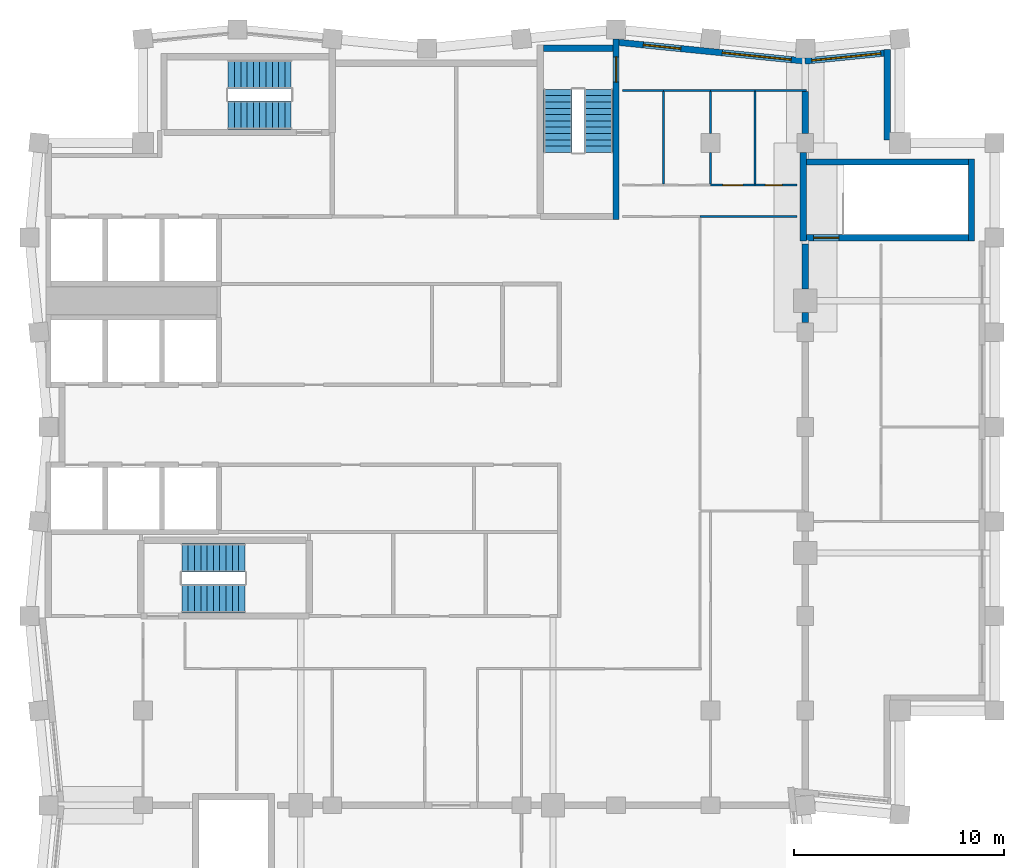
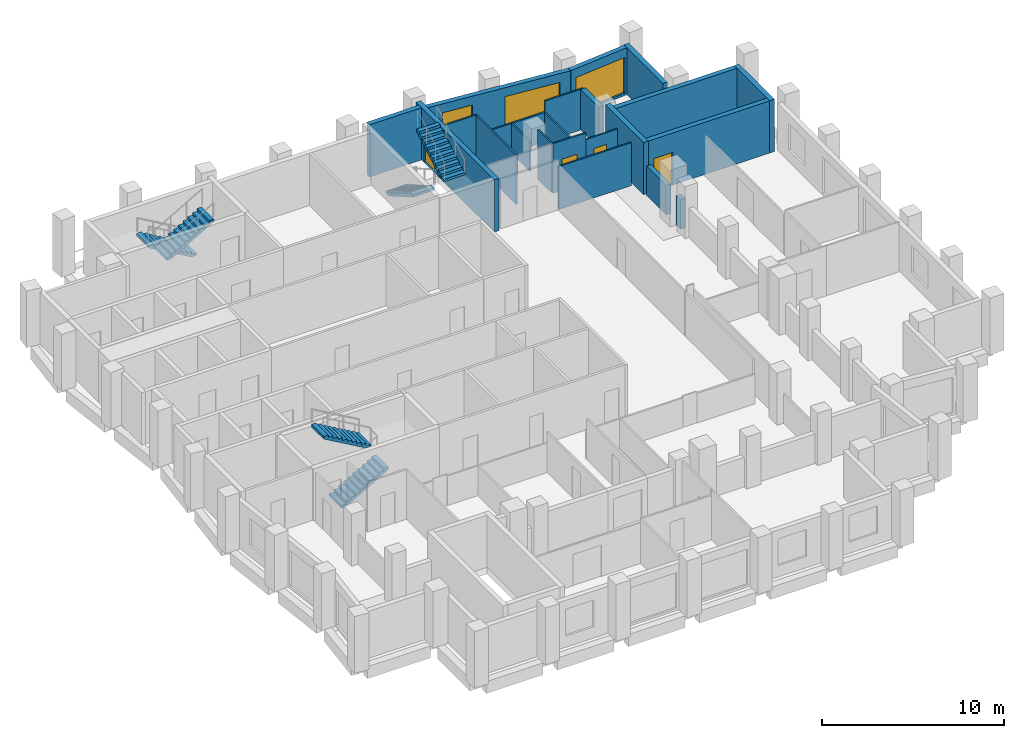
# One storey, part 6 of 7: 23 walls, 6 stair flights, 4 doors, 3 windows, 7 openings, 3 elements without a shape of their own.
"""IFC4 building model written with IfcOpenShell, lengths in metres."""

import ifcopenshell
import ifcopenshell.guid

model = None  # the IFC model being written
_history = None  # IfcOwnerHistory: only IFC2X3 demands one
_inside = {}  # id of a spatial element -> (the spatial element, [elements in it])
_under = {}  # id of a project, library or spatial element -> (it, [spatial elements below it])
_declared = {}  # id of a project -> (the project, [libraries it declares])
_typed = {}  # id of a type object -> (the type object, [elements of that type])
_made_of = {}  # id of a material, layer set ... -> (it, [elements and type objects made of it])


def new_model(schema):
    """Start an empty IFC model of exactly this schema.

    Asked for "IFC4X3", IfcOpenShell would pick the latest addendum, in which some entities
    have other attributes; the version numbers below select the first issue.
    IFC2X3 requires an IfcOwnerHistory on every rooted entity: one is made here for all.
    """
    global model, _history
    if schema == "IFC4X3":
        model = ifcopenshell.file(schema_version=(4, 3, 0, 0))
    else:
        model = ifcopenshell.file(schema=schema)
    _inside.clear()
    _under.clear()
    _declared.clear()
    _typed.clear()
    _made_of.clear()
    _history = None
    if model.schema == "IFC2X3":
        org = make("IfcOrganization", Name="unknown")
        user = make(
            "IfcPersonAndOrganization",
            ThePerson=make("IfcPerson", FamilyName="unknown"),
            TheOrganization=org,
        )
        app = make(
            "IfcApplication",
            ApplicationDeveloper=org,
            Version="unknown",
            ApplicationFullName="unknown",
            ApplicationIdentifier="unknown",
        )
        _history = make(
            "IfcOwnerHistory",
            OwningUser=user,
            OwningApplication=app,
            ChangeAction="ADDED",
            CreationDate=0,
        )
    return model


def make(cls, **values):
    """One entity of the class cls with the attributes given. An attribute that is None is left unset."""
    return model.create_entity(
        cls, **{name: value for name, value in values.items() if value is not None}
    )


def rooted(cls, **values):
    """An entity with a GlobalId (a new one), such as an element, a storey or a relation."""
    return make(cls, GlobalId=ifcopenshell.guid.new(), OwnerHistory=_history, **values)


def si_unit(unit_type, name, prefix=None):
    """IfcSIUnit, for example si_unit("LENGTHUNIT", "METRE", prefix="MILLI")."""
    return make("IfcSIUnit", UnitType=unit_type, Prefix=prefix, Name=name)


def assignment(units):
    """IfcUnitAssignment: the units of a project."""
    return None if units is None else make("IfcUnitAssignment", Units=units)


def point(xyz):
    """IfcCartesianPoint."""
    return None if xyz is None else make("IfcCartesianPoint", Coordinates=xyz)


def direction(xyz):
    """IfcDirection."""
    return None if xyz is None else make("IfcDirection", DirectionRatios=xyz)


def frame(location, z_axis=None, x_axis=None):
    """IfcAxis2Placement3D, a coordinate frame: its origin and axes. An axis left out is left unset."""
    return make(
        "IfcAxis2Placement3D",
        Location=point(location),
        Axis=direction(z_axis),
        RefDirection=direction(x_axis),
    )


def frame_2d(location, x_axis=None):
    """IfcAxis2Placement2D, a coordinate frame in the plane: its origin and x axis."""
    return make(
        "IfcAxis2Placement2D", Location=point(location), RefDirection=direction(x_axis)
    )


def origin():
    """The frame at (0, 0, 0) with its axes left unset."""
    return frame((0.0, 0.0, 0.0))


def place(relative_to, where):
    """IfcLocalPlacement: puts the frame where relative to a parent placement (None: the world)."""
    return make(
        "IfcLocalPlacement", PlacementRelTo=relative_to, RelativePlacement=where
    )


def context(
    kind, dimensions, precision=None, world=None, true_north=None, identifier=None
):
    """IfcGeometricRepresentationContext, for example the 3D "Model" context."""
    return make(
        "IfcGeometricRepresentationContext",
        ContextIdentifier=identifier,
        ContextType=kind,
        CoordinateSpaceDimension=dimensions,
        Precision=precision,
        WorldCoordinateSystem=world,
        TrueNorth=true_north,
    )


def subcontext(parent, identifier, kind, view, scale=None):
    """IfcGeometricRepresentationSubContext, for example "Body" below "Model"."""
    return make(
        "IfcGeometricRepresentationSubContext",
        ContextIdentifier=identifier,
        ContextType=kind,
        ParentContext=parent,
        TargetScale=scale,
        TargetView=view,
    )


def project(units=None, contexts=None):
    """IfcProject with its units and contexts."""
    return rooted(
        "IfcProject",
        Name="project",
        RepresentationContexts=contexts,
        UnitsInContext=assignment(units),
    )


def spatial(cls, under=None, at=None, **own):
    """A site, building, storey or space (cls), placed at a placement, below another one or the project."""
    s = rooted(cls, ObjectPlacement=at, **own)
    if under is not None:
        _under.setdefault(under.id(), (under, []))[1].append(s)
    return s


def polyline(points):
    """IfcPolyline through the points."""
    return make("IfcPolyline", Points=[point(p) for p in points])


def profile(cls, at=None, kind="AREA", **sizes):
    """A parametric profile (cls). Its sizes go by their IFC names, for example OverallWidth=200.0."""
    return make(cls, ProfileType=kind, Position=at, **sizes)


def rectangle(**sizes):
    """IfcRectangleProfileDef."""
    return profile("IfcRectangleProfileDef", **sizes)


def outline(outer, holes=None, kind="AREA"):
    """IfcArbitraryClosedProfileDef: a profile drawn as a closed curve; with holes, ...WithVoids."""
    if holes is None:
        return make("IfcArbitraryClosedProfileDef", ProfileType=kind, OuterCurve=outer)
    return make(
        "IfcArbitraryProfileDefWithVoids",
        ProfileType=kind,
        OuterCurve=outer,
        InnerCurves=holes,
    )


def extrude(swept, where, along, depth):
    """IfcExtrudedAreaSolid: the profile swept, set in the frame where, extruded along a direction by depth."""
    return make(
        "IfcExtrudedAreaSolid",
        SweptArea=swept,
        Position=where,
        ExtrudedDirection=direction(along),
        Depth=depth,
    )


def shape(context_of_items, identifier, shape_type, items):
    """IfcShapeRepresentation: the items that make up one representation, for example the "Body"."""
    return make(
        "IfcShapeRepresentation",
        ContextOfItems=context_of_items,
        RepresentationIdentifier=identifier,
        RepresentationType=shape_type,
        Items=items,
    )


def material(Name=None, Category=None):
    """IfcMaterial."""
    return make("IfcMaterial", Name=Name, Category=Category)


def layer(
    of_material, thickness, ventilated=None, Name=None, Category=None, Priority=None
):
    """IfcMaterialLayer: one layer of a wall or slab, of a material (None: an air gap)."""
    return make(
        "IfcMaterialLayer",
        Material=of_material,
        LayerThickness=thickness,
        IsVentilated=ventilated,
        Name=Name,
        Category=Category,
        Priority=Priority,
    )


def layer_set(layers, Name=None):
    """IfcMaterialLayerSet."""
    return make("IfcMaterialLayerSet", MaterialLayers=layers, LayerSetName=Name)


def made_of(thing, what):
    """Note that an element or type object is made of a material, layer set ...; save() writes the relation."""
    if what is not None:
        _made_of.setdefault(what.id(), (what, []))[1].append(thing)
    return thing


def type_object(cls, material=None, **own):
    """A type object (cls), such as IfcWallType, which elements share."""
    return made_of(rooted(cls, **own), material)


def element(
    cls,
    number,
    at=None,
    inside=None,
    cuts=None,
    type_object=None,
    material=None,
    context=None,
    identifier="Body",
    shape_type=None,
    held_by="IfcProductDefinitionShape",
    body=None,
    shapes=None,
    **own,
):
    """One element of the class cls, such as IfcWall. Its Tag is "e" and its number.

    at: its placement. inside: the storey or other place that contains it. cuts: it is an
    opening in that element (IfcRelVoidsElement). A single representation is given by context,
    identifier, shape_type and body (its items); several are given by shapes. held_by: the class
    of the entity that holds the representations. save() writes the other relations.
    """
    e = rooted(cls, Tag="e%d" % number, ObjectPlacement=at, **own)
    if body is not None:
        shapes = [shape(context, identifier, shape_type, body)]
    if shapes is not None:
        e.Representation = make(held_by, Representations=shapes)
    if inside is not None:
        _inside.setdefault(inside.id(), (inside, []))[1].append(e)
    if cuts is not None:
        rooted(
            "IfcRelVoidsElement", RelatingBuildingElement=cuts, RelatedOpeningElement=e
        )
    if type_object is not None:
        _typed.setdefault(type_object.id(), (type_object, []))[1].append(e)
    return made_of(e, material)


def fill(opening, filler):
    """IfcRelFillsElement: the door or window that sits in an opening."""
    return rooted(
        "IfcRelFillsElement",
        RelatingOpeningElement=opening,
        RelatedBuildingElement=filler,
    )


def aggregate(whole, parts):
    """IfcRelAggregates: a whole, such as a stair, and the parts it consists of."""
    return rooted("IfcRelAggregates", RelatingObject=whole, RelatedObjects=parts)


def save(model, path):
    """Write the relations noted so far, then the file.

    IfcRelAggregates (storeys below a building ...), IfcRelContainedInSpatialStructure (elements
    in a storey), IfcRelDefinesByType, IfcRelAssociatesMaterial and IfcRelDeclares: one each for
    every whole, place, type object, material and project.
    """
    for whole, parts in _under.values():
        aggregate(whole, parts)
    for where, things in _inside.values():
        rooted(
            "IfcRelContainedInSpatialStructure",
            RelatedElements=things,
            RelatingStructure=where,
        )
    for kind, things in _typed.values():
        rooted("IfcRelDefinesByType", RelatedObjects=things, RelatingType=kind)
    for what, things in _made_of.values():
        rooted("IfcRelAssociatesMaterial", RelatedObjects=things, RelatingMaterial=what)
    for by, libraries in _declared.values():
        rooted("IfcRelDeclares", RelatingContext=by, RelatedDefinitions=libraries)
    model.write(path)


model = new_model("IFC4")

# Units and contexts
model_context = context("Model", 3, precision=1e-05, world=origin(), true_north=direction((0.0, 1.0)))
body_context = subcontext(model_context, "Body", "Model", "MODEL_VIEW")
ifc_project = project(units=[si_unit("LENGTHUNIT", "METRE"), si_unit("AREAUNIT", "SQUARE_METRE"), si_unit("VOLUMEUNIT", "CUBIC_METRE"), si_unit("PLANEANGLEUNIT", "RADIAN"), si_unit("MASSUNIT", "GRAM", prefix="KILO")], contexts=[model_context])

# Site, building, storey
site_placement = place(None, origin())
site = spatial("IfcSite", under=ifc_project, at=site_placement, CompositionType="ELEMENT")
building_placement = place(site_placement, origin())
building = spatial("IfcBuilding", under=site, at=building_placement, Name="Brondeck Convention Tower", CompositionType="ELEMENT")
storey_placement = place(building_placement, frame((0.0, 0.0, 279.0)))
storey = spatial("IfcBuildingStorey", under=building, at=storey_placement, Name="L69", CompositionType="ELEMENT", Elevation=279.0)

# Walls
ifc_material_1 = material(Name="Concrete compartment wall C30/37", Category="concrete")
ifc_layer_1 = layer(ifc_material_1, 0.300048828125)
ifc_layer_set_1 = layer_set([ifc_layer_1], Name="Compartment wall 300")
wall_type_1 = type_object("IfcWallType", Name="Compartment wall 300", PredefinedType="PARTITIONING", material=ifc_layer_set_1)
wall_1_placement = place(storey_placement, frame((36.0, 49.955078125, 0.0), z_axis=(0.0, 0.0, 1.0), x_axis=(0.0, 1.0, 0.0)))
element("IfcWall", 1, at=wall_1_placement, inside=storey, type_object=wall_type_1, Name="FLR-L69-W051", PredefinedType="PARTITIONING", context=body_context, shape_type="SweptSolid", body=[
    extrude(rectangle(XDim=0.489990234375, YDim=0.300048828125, at=frame_2d((0.2451171875, 0.0))), origin(), (0.0, 0.0, 1.0), 1.97998046875),
])
wall_2_placement = place(storey_placement, frame((36.0, 51.554931640625, 0.0), z_axis=(0.0, 0.0, 1.0), x_axis=(0.0, 1.0, 0.0)))
element("IfcWall", 2, at=wall_2_placement, inside=storey, type_object=wall_type_1, Name="FLR-L69-W052", PredefinedType="PARTITIONING", context=body_context, shape_type="SweptSolid", body=[
    extrude(rectangle(XDim=2.14501953125, YDim=0.300048828125, at=frame_2d((1.072509765625, 0.0))), origin(), (0.0, 0.0, 1.0), 1.97998046875),
])
wall_3_placement = place(storey_placement, frame((36.0, 60.949951171875, 0.0), z_axis=(0.0, 0.0, 1.0), x_axis=(0.0, -1.0, 0.0)))
element("IfcWall", 3, at=wall_3_placement, inside=storey, type_object=wall_type_1, Name="FLR-L69-W065", PredefinedType="PARTITIONING", context=body_context, shape_type="SweptSolid", body=[
    extrude(rectangle(XDim=1.994873046875, YDim=0.300048828125, at=frame_2d((0.99755859375, 0.0))), origin(), (0.0, 0.0, 1.0), 2.72998046875),
])
ifc_material_2 = material(Name="Precast concrete C50/60 bronze finish", Category="concrete")
ifc_layer_2 = layer(ifc_material_2, 0.070068359375, Name="Bronze precast facing")
ifc_material_3 = material(Name="Mineral wool")
ifc_layer_3 = layer(ifc_material_3, 0.159912109375, Name="Insulation")
ifc_material_4 = material(Name="Concrete C35/45", Category="concrete")
ifc_layer_4 = layer(ifc_material_4, 0.070068359375, Name="Backing")
ifc_layer_set_2 = layer_set([ifc_layer_2, ifc_layer_3, ifc_layer_4], Name="External infill wall, precast concrete C50/60 bronze facing")
wall_type_2 = type_object("IfcWallType", Name="External infill wall, precast concrete C50/60 bronze facing", PredefinedType="SOLIDWALL", material=ifc_layer_set_2)
wall_4_placement = place(storey_placement, frame((39.89990234375, 62.952880859375, 0.0), z_axis=(0.0, 0.0, 1.0), x_axis=(0.0, -1.0, 0.0)))
element("IfcWall", 4, at=wall_4_placement, inside=storey, type_object=wall_type_2, Name="ENV-EW-L69-P3-NC-NEA45-02", PredefinedType="SOLIDWALL", context=body_context, shape_type="SweptSolid", body=[
    extrude(rectangle(XDim=4.302978515625, YDim=0.300048828125, at=frame_2d((2.1513671875, 0.0))), origin(), (0.0, 0.0, 1.0), 3.14990234375),
])

# Wall, opening, window
wall_5_placement = place(storey_placement, frame((35.985107421875, 62.3955078125, 0.0), z_axis=(0.0, 0.0, 1.0), x_axis=(0.99503719021, 0.099503719021, 0.0)))
wall_5 = element("IfcWall", 5, at=wall_5_placement, inside=storey, type_object=wall_type_2, Name="ENV-EW-L69-P3-A-N-08", PredefinedType="SOLIDWALL", context=body_context, shape_type="SweptSolid", body=[
    extrude(rectangle(XDim=3.778564453125, YDim=0.300048828125, at=frame_2d((1.88916015625, 0.0))), origin(), (0.0, 0.0, 1.0), 3.14990234375),
])
opening_1_placement = place(wall_5_placement, frame((0.32861328125, 0.0, 0.14990234375)))
opening_1 = element("IfcOpeningElement", 6, at=opening_1_placement, cuts=wall_5, Name="Opening W9", PredefinedType="OPENING", context=body_context, shape_type="SweptSolid", body=[
    extrude(rectangle(XDim=3.300048828125, YDim=2.39990234375, at=frame_2d((1.64990234375, 1.199951171875))), frame((0.0, 0.159912109375, 0.0), z_axis=(0.0, -1.0, 0.0), x_axis=(1.0, 0.0, 0.0)), (0.0, 0.0, 1.0), 0.320068359375),
])
ifc_material_5 = material(Name="Bronze tinted double glazing", Category="glass")
window_type_1 = type_object("IfcWindowType", Name="Glazed flute window, bronze tinted", PartitioningType="SINGLE_PANEL", PredefinedType="WINDOW", material=ifc_material_5)
window_1_placement = place(opening_1_placement, origin())
window_1 = element("IfcWindow", 7, at=window_1_placement, inside=storey, type_object=window_type_1, Name="ENV-WN-L69-P3-A-N-08", OverallHeight=2.39990234375, OverallWidth=3.300048828125, PartitioningType="SINGLE_PANEL", PredefinedType="WINDOW", context=body_context, shape_type="SweptSolid", body=[
    extrude(rectangle(XDim=3.300048828125, YDim=2.39990234375, at=frame_2d((1.64990234375, 1.199951171875))), frame((0.0, 0.030029296875, 0.0), z_axis=(0.0, -1.0, 0.0), x_axis=(1.0, 0.0, 0.0)), (0.0, 0.0, 1.0), 0.06005859375),
])
fill(opening_1, window_1)

# Wall, openings, windows
wall_6_placement = place(storey_placement, frame((27.089599609375, 63.2880859375, 0.0), z_axis=(0.0, 0.0, 1.0), x_axis=(0.995035835913, -0.09951726106, 0.0)))
wall_6 = element("IfcWall", 8, at=wall_6_placement, inside=storey, type_object=wall_type_2, Name="ENV-EW-L69-P3-A-N-07", PredefinedType="SOLIDWALL", context=body_context, shape_type="SweptSolid", body=[
    extrude(rectangle(XDim=8.9248046875, YDim=0.300048828125, at=frame_2d((4.46240234375, 0.0))), origin(), (0.0, 0.0, 1.0), 3.14990234375),
])
opening_2_placement = place(wall_6_placement, frame((1.211181640625, 0.0, 0.75)))
opening_2 = element("IfcOpeningElement", 9, at=opening_2_placement, cuts=wall_6, Name="Opening W10", PredefinedType="OPENING", context=body_context, shape_type="SweptSolid", body=[
    extrude(rectangle(XDim=1.800048828125, YDim=1.800048828125, at=frame_2d((0.89990234375, 0.89990234375))), frame((0.0, 0.159912109375, 0.0), z_axis=(0.0, -1.0, 0.0), x_axis=(1.0, 0.0, 0.0)), (0.0, 0.0, 1.0), 0.320068359375),
])
opening_3_placement = place(wall_6_placement, frame((4.983642578125, 0.0, 0.14990234375)))
opening_3 = element("IfcOpeningElement", 10, at=opening_3_placement, cuts=wall_6, Name="Opening W9", PredefinedType="OPENING", context=body_context, shape_type="SweptSolid", body=[
    extrude(rectangle(XDim=3.300048828125, YDim=2.39990234375, at=frame_2d((1.64990234375, 1.199951171875))), frame((0.0, 0.159912109375, 0.0), z_axis=(0.0, -1.0, 0.0), x_axis=(1.0, 0.0, 0.0)), (0.0, 0.0, 1.0), 0.320068359375),
])
window_2_placement = place(opening_3_placement, origin())
window_2 = element("IfcWindow", 11, at=window_2_placement, inside=storey, type_object=window_type_1, Name="ENV-WN-L69-P3-A-N-07", OverallHeight=2.39990234375, OverallWidth=3.300048828125, PartitioningType="SINGLE_PANEL", PredefinedType="WINDOW", context=body_context, shape_type="SweptSolid", body=[
    extrude(rectangle(XDim=3.300048828125, YDim=2.39990234375, at=frame_2d((1.64990234375, 1.199951171875))), frame((0.0, 0.030029296875, 0.0), z_axis=(0.0, -1.0, 0.0), x_axis=(1.0, 0.0, 0.0)), (0.0, 0.0, 1.0), 0.06005859375),
])
fill(opening_3, window_2)
window_type_2 = type_object("IfcWindowType", Name="Punched window, bronze tinted", PartitioningType="SINGLE_PANEL", PredefinedType="WINDOW", material=ifc_material_5)
window_3_placement = place(opening_2_placement, origin())
window_3 = element("IfcWindow", 12, at=window_3_placement, inside=storey, type_object=window_type_2, Name="ENV-WN-L69-P3-A-N-06", OverallHeight=1.800048828125, OverallWidth=1.800048828125, PartitioningType="SINGLE_PANEL", PredefinedType="WINDOW", context=body_context, shape_type="SweptSolid", body=[
    extrude(rectangle(XDim=1.800048828125, YDim=1.800048828125, at=frame_2d((0.89990234375, 0.89990234375))), frame((0.0, 0.030029296875, 0.0), z_axis=(0.0, -1.0, 0.0), x_axis=(1.0, 0.0, 0.0)), (0.0, 0.0, 1.0), 0.06005859375),
])
fill(opening_2, window_3)

# Wall
ifc_material_6 = material(Name="Gypsum board partition on steel studs", Category="steel")
ifc_layer_5 = layer(ifc_material_6, 0.10009765625)
ifc_layer_set_3 = layer_set([ifc_layer_5], Name="Room partition 100")
wall_type_3 = type_object("IfcWallType", Name="Room partition 100", PredefinedType="PARTITIONING", material=ifc_layer_set_3)
wall_7_placement = place(storey_placement, frame((35.60009765625, 55.0, 0.0), z_axis=(0.0, 0.0, 1.0), x_axis=(-1.0, 0.0, 0.0)))
element("IfcWall", 13, at=wall_7_placement, inside=storey, type_object=wall_type_3, Name="FLR-L69-W056", PredefinedType="PARTITIONING", context=body_context, shape_type="SweptSolid", body=[
    extrude(rectangle(XDim=4.60009765625, YDim=0.10009765625, at=frame_2d((2.300048828125, 0.0))), origin(), (0.0, 0.0, 1.0), 2.8798828125),
])

# Wall, opening, door
wall_8_placement = place(storey_placement, frame((31.5, 56.5, 0.0), z_axis=(0.0, 0.0, 1.0), x_axis=(1.0, 0.0, 0.0)))
wall_8 = element("IfcWall", 14, at=wall_8_placement, inside=storey, type_object=wall_type_3, Name="FLR-L69-W059", PredefinedType="PARTITIONING", context=body_context, shape_type="SweptSolid", body=[
    extrude(rectangle(XDim=2.10009765625, YDim=0.10009765625, at=frame_2d((1.050048828125, 0.0))), origin(), (0.0, 0.0, 1.0), 3.330078125),
])
opening_4_placement = place(wall_8_placement, frame((0.574951171875, 0.0, 0.0)))
opening_4 = element("IfcOpeningElement", 15, at=opening_4_placement, cuts=wall_8, Name="Opening EX-D-010", PredefinedType="OPENING", context=body_context, shape_type="SweptSolid", body=[
    extrude(rectangle(XDim=0.949951171875, YDim=2.10009765625, at=frame_2d((0.47509765625, 1.050048828125))), frame((0.0, 0.06005859375, 0.0), z_axis=(0.0, -1.0, 0.0), x_axis=(1.0, 0.0, 0.0)), (0.0, 0.0, 1.0), 0.1201171875),
])
ifc_material_7 = material(Name="Solid timber door leaf", Category="wood")
door_type_1 = type_object("IfcDoorType", Name="Accessible door 950", OperationType="NOTDEFINED", PredefinedType="DOOR", material=ifc_material_7)
door_1_placement = place(opening_4_placement, origin())
door_1 = element("IfcDoor", 16, at=door_1_placement, inside=storey, type_object=door_type_1, Name="Door EX-D-010", OperationType="SINGLE_SWING_LEFT", OverallHeight=2.10009765625, OverallWidth=0.949951171875, PredefinedType="DOOR", context=body_context, shape_type="SweptSolid", body=[
    extrude(rectangle(XDim=0.949951171875, YDim=2.10009765625, at=frame_2d((0.47509765625, 1.050048828125))), frame((0.0, 0.02490234375, 0.0), z_axis=(0.0, -1.0, 0.0), x_axis=(1.0, 0.0, 0.0)), (0.0, 0.0, 1.0), 0.050048828125),
])
fill(opening_4, door_1)

wall_9_placement = place(storey_placement, frame((33.60009765625, 56.5, 0.0), z_axis=(0.0, 0.0, 1.0), x_axis=(1.0, 0.0, 0.0)))
wall_9 = element("IfcWall", 17, at=wall_9_placement, inside=storey, type_object=wall_type_3, Name="FLR-L69-W060", PredefinedType="PARTITIONING", context=body_context, shape_type="SweptSolid", body=[
    extrude(rectangle(XDim=2.0, YDim=0.10009765625, at=frame_2d((1.0, 0.0))), origin(), (0.0, 0.0, 1.0), 2.8798828125),
])
opening_5_placement = place(wall_9_placement, frame((0.5, 0.0, 0.0)))
opening_5 = element("IfcOpeningElement", 18, at=opening_5_placement, cuts=wall_9, Name="Opening EX-D-011", PredefinedType="OPENING", context=body_context, shape_type="SweptSolid", body=[
    extrude(rectangle(XDim=0.800048828125, YDim=2.10009765625, at=frame_2d((0.39990234375, 1.050048828125))), frame((0.0, 0.06005859375, 0.0), z_axis=(0.0, -1.0, 0.0), x_axis=(1.0, 0.0, 0.0)), (0.0, 0.0, 1.0), 0.1201171875),
])
ifc_material_8 = material(Name="Steel service door leaf", Category="steel")
door_type_2 = type_object("IfcDoorType", Name="Service door 800", OperationType="NOTDEFINED", PredefinedType="DOOR", material=ifc_material_8)
door_2_placement = place(opening_5_placement, origin())
door_2 = element("IfcDoor", 19, at=door_2_placement, inside=storey, type_object=door_type_2, Name="Door EX-D-011", OperationType="SINGLE_SWING_LEFT", OverallHeight=2.10009765625, OverallWidth=0.800048828125, PredefinedType="DOOR", context=body_context, shape_type="SweptSolid", body=[
    extrude(rectangle(XDim=0.800048828125, YDim=2.10009765625, at=frame_2d((0.39990234375, 1.050048828125))), frame((0.0, 0.02490234375, 0.0), z_axis=(0.0, -1.0, 0.0), x_axis=(1.0, 0.0, 0.0)), (0.0, 0.0, 1.0), 0.050048828125),
])
fill(opening_5, door_2)

# Walls
wall_10_placement = place(storey_placement, frame((31.5, 58.044921875, 0.0), z_axis=(0.0, 0.0, 1.0), x_axis=(0.0, -1.0, 0.0)))
element("IfcWall", 20, at=wall_10_placement, inside=storey, type_object=wall_type_3, Name="FLR-L69-W061", PredefinedType="PARTITIONING", context=body_context, shape_type="SweptSolid", body=[
    extrude(rectangle(XDim=1.494873046875, YDim=0.10009765625, at=frame_2d((0.74755859375, 0.0))), origin(), (0.0, 0.0, 1.0), 3.330078125),
])
wall_11_placement = place(storey_placement, frame((29.25, 60.949951171875, 0.0), z_axis=(0.0, 0.0, 1.0), x_axis=(0.0, -1.0, 0.0)))
element("IfcWall", 21, at=wall_11_placement, inside=storey, type_object=wall_type_3, Name="FLR-L69-W062", PredefinedType="PARTITIONING", context=body_context, shape_type="SweptSolid", body=[
    extrude(rectangle(XDim=4.39990234375, YDim=0.10009765625, at=frame_2d((2.199951171875, 0.0))), origin(), (0.0, 0.0, 1.0), 3.330078125),
])
wall_12_placement = place(storey_placement, frame((31.5, 60.949951171875, 0.0), z_axis=(0.0, 0.0, 1.0), x_axis=(0.0, -1.0, 0.0)))
element("IfcWall", 22, at=wall_12_placement, inside=storey, type_object=wall_type_3, Name="FLR-L69-W063", PredefinedType="PARTITIONING", context=body_context, shape_type="SweptSolid", body=[
    extrude(rectangle(XDim=1.994873046875, YDim=0.10009765625, at=frame_2d((0.99755859375, 0.0))), origin(), (0.0, 0.0, 1.0), 1.97998046875),
])
wall_13_placement = place(storey_placement, frame((33.60009765625, 60.949951171875, 0.0), z_axis=(0.0, 0.0, 1.0), x_axis=(0.0, -1.0, 0.0)))
element("IfcWall", 23, at=wall_13_placement, inside=storey, type_object=wall_type_3, Name="FLR-L69-W064", PredefinedType="PARTITIONING", context=body_context, shape_type="SweptSolid", body=[
    extrude(rectangle(XDim=4.39990234375, YDim=0.10009765625, at=frame_2d((2.199951171875, 0.0))), origin(), (0.0, 0.0, 1.0), 1.97998046875),
])
wall_14_placement = place(storey_placement, frame((27.300048828125, 61.0, 0.0), z_axis=(0.0, 0.0, 1.0), x_axis=(1.0, 0.0, 0.0)))
element("IfcWall", 24, at=wall_14_placement, inside=storey, type_object=wall_type_3, Name="FLR-L69-W066", PredefinedType="PARTITIONING", context=body_context, shape_type="SweptSolid", body=[
    extrude(rectangle(XDim=1.949951171875, YDim=0.10009765625, at=frame_2d((0.97509765625, 0.0))), origin(), (0.0, 0.0, 1.0), 3.330078125),
])
wall_15_placement = place(storey_placement, frame((29.25, 61.0, 0.0), z_axis=(0.0, 0.0, 1.0), x_axis=(1.0, 0.0, 0.0)))
element("IfcWall", 25, at=wall_15_placement, inside=storey, type_object=wall_type_3, Name="FLR-L69-W067", PredefinedType="PARTITIONING", context=body_context, shape_type="SweptSolid", body=[
    extrude(rectangle(XDim=2.25, YDim=0.10009765625, at=frame_2d((1.125, 0.0))), origin(), (0.0, 0.0, 1.0), 1.97998046875),
])
wall_16_placement = place(storey_placement, frame((31.5, 61.0, 0.0), z_axis=(0.0, 0.0, 1.0), x_axis=(1.0, 0.0, 0.0)))
element("IfcWall", 26, at=wall_16_placement, inside=storey, type_object=wall_type_3, Name="FLR-L69-W068", PredefinedType="PARTITIONING", context=body_context, shape_type="SweptSolid", body=[
    extrude(rectangle(XDim=2.10009765625, YDim=0.10009765625, at=frame_2d((1.050048828125, 0.0))), origin(), (0.0, 0.0, 1.0), 1.97998046875),
])
wall_17_placement = place(storey_placement, frame((33.60009765625, 61.0, 0.0), z_axis=(0.0, 0.0, 1.0), x_axis=(1.0, 0.0, 0.0)))
element("IfcWall", 27, at=wall_17_placement, inside=storey, type_object=wall_type_3, Name="FLR-L69-W069", PredefinedType="PARTITIONING", context=body_context, shape_type="SweptSolid", body=[
    extrude(rectangle(XDim=2.449951171875, YDim=0.10009765625, at=frame_2d((1.22509765625, 0.0))), origin(), (0.0, 0.0, 1.0), 2.72998046875),
])

# Wall, opening, door
ifc_material_9 = material(Name="Concrete C50/60", Category="concrete")
ifc_layer_6 = layer(ifc_material_9, 0.300048828125)
ifc_layer_set_4 = layer_set([ifc_layer_6], Name="Stair enclosure wall 300 Concrete C50/60")
wall_type_4 = type_object("IfcWallType", Name="Stair enclosure wall 300 Concrete C50/60", PredefinedType="SHEAR", material=ifc_layer_set_4)
wall_18_placement = place(storey_placement, frame((36.050048828125, 54.0, 0.0), z_axis=(0.0, 0.0, 1.0), x_axis=(1.0, 0.0, 0.0)))
wall_18 = element("IfcWall", 28, at=wall_18_placement, inside=storey, type_object=wall_type_4, Name="L69 core wall", PredefinedType="SHEAR", context=body_context, shape_type="SweptSolid", body=[
    extrude(rectangle(XDim=7.699951171875, YDim=0.300048828125, at=frame_2d((3.85009765625, 0.0))), origin(), (0.0, 0.0, 1.0), 3.5),
])
opening_6_placement = place(wall_18_placement, frame((0.35009765625, 0.0, 0.0)))
opening_6 = element("IfcOpeningElement", 29, at=opening_6_placement, cuts=wall_18, Name="Opening C39-16", PredefinedType="OPENING", context=body_context, shape_type="SweptSolid", body=[
    extrude(rectangle(XDim=1.199951171875, YDim=2.199951171875, at=frame_2d((0.60009765625, 1.10009765625))), frame((0.0, 0.159912109375, 0.0), z_axis=(0.0, -1.0, 0.0), x_axis=(1.0, 0.0, 0.0)), (0.0, 0.0, 1.0), 0.320068359375),
])
ifc_material_10 = material(Name="Steel fire door", Category="steel")
door_type_3 = type_object("IfcDoorType", Name="Stair door 1200x2200 EI 90", OperationType="NOTDEFINED", PredefinedType="DOOR", material=ifc_material_10)
door_3_placement = place(opening_6_placement, origin())
door_3 = element("IfcDoor", 30, at=door_3_placement, inside=storey, type_object=door_type_3, Name="L69 Stair door ST-AE", OperationType="SINGLE_SWING_LEFT", OverallHeight=2.199951171875, OverallWidth=1.199951171875, PredefinedType="DOOR", context=body_context, shape_type="SweptSolid", body=[
    extrude(rectangle(XDim=1.199951171875, YDim=2.199951171875, at=frame_2d((0.60009765625, 1.10009765625))), frame((0.0, 0.02490234375, 0.0), z_axis=(0.0, -1.0, 0.0), x_axis=(1.0, 0.0, 0.0)), (0.0, 0.0, 1.0), 0.050048828125),
])
fill(opening_6, door_3)

# Walls
wall_19_placement = place(storey_placement, frame((36.050048828125, 57.60009765625, 0.0), z_axis=(0.0, 0.0, 1.0), x_axis=(1.0, 0.0, 0.0)))
element("IfcWall", 31, at=wall_19_placement, inside=storey, type_object=wall_type_4, Name="L69 core wall", PredefinedType="SHEAR", context=body_context, shape_type="SweptSolid", body=[
    extrude(rectangle(XDim=7.699951171875, YDim=0.300048828125, at=frame_2d((3.85009765625, 0.0))), origin(), (0.0, 0.0, 1.0), 3.5),
])
wall_20_placement = place(storey_placement, frame((23.550048828125, 63.0, 0.0), z_axis=(0.0, 0.0, 1.0), x_axis=(1.0, 0.0, 0.0)))
element("IfcWall", 32, at=wall_20_placement, inside=storey, type_object=wall_type_4, Name="L69 core wall", PredefinedType="SHEAR", context=body_context, shape_type="SweptSolid", body=[
    extrude(rectangle(XDim=3.300048828125, YDim=0.300048828125, at=frame_2d((1.64990234375, 0.0))), origin(), (0.0, 0.0, 1.0), 3.5),
])

# Wall, opening, door
wall_21_placement = place(storey_placement, frame((27.0, 54.85009765625, 0.0), z_axis=(0.0, 0.0, 1.0), x_axis=(0.0, 1.0, 0.0)))
wall_21 = element("IfcWall", 33, at=wall_21_placement, inside=storey, type_object=wall_type_4, Name="L69 core wall", PredefinedType="SHEAR", context=body_context, shape_type="SweptSolid", body=[
    extrude(rectangle(XDim=8.599853515625, YDim=0.300048828125, at=frame_2d((4.2998046875, 0.0))), origin(), (0.0, 0.0, 1.0), 3.5),
])
opening_7_placement = place(wall_21_placement, frame((6.550048828125, 0.0, 0.0)))
opening_7 = element("IfcOpeningElement", 34, at=opening_7_placement, cuts=wall_21, Name="Opening C39-14", PredefinedType="OPENING", context=body_context, shape_type="SweptSolid", body=[
    extrude(rectangle(XDim=1.199951171875, YDim=2.199951171875, at=frame_2d((0.60009765625, 1.10009765625))), frame((0.0, 0.159912109375, 0.0), z_axis=(0.0, -1.0, 0.0), x_axis=(1.0, 0.0, 0.0)), (0.0, 0.0, 1.0), 0.320068359375),
])
door_4_placement = place(opening_7_placement, origin())
door_4 = element("IfcDoor", 35, at=door_4_placement, inside=storey, type_object=door_type_3, Name="L69 Stair door ST-2", OperationType="SINGLE_SWING_LEFT", OverallHeight=2.199951171875, OverallWidth=1.199951171875, PredefinedType="DOOR", context=body_context, shape_type="SweptSolid", body=[
    extrude(rectangle(XDim=1.199951171875, YDim=2.199951171875, at=frame_2d((0.60009765625, 1.10009765625))), frame((0.0, 0.02490234375, 0.0), z_axis=(0.0, -1.0, 0.0), x_axis=(1.0, 0.0, 0.0)), (0.0, 0.0, 1.0), 0.050048828125),
])
fill(opening_7, door_4)

# Walls
wall_22_placement = place(storey_placement, frame((35.89990234375, 53.85009765625, 0.0), z_axis=(0.0, 0.0, 1.0), x_axis=(0.0, 1.0, 0.0)))
element("IfcWall", 36, at=wall_22_placement, inside=storey, type_object=wall_type_4, Name="L69 core wall", PredefinedType="SHEAR", context=body_context, shape_type="SweptSolid", body=[
    extrude(rectangle(XDim=4.199951171875, YDim=0.300048828125, at=frame_2d((2.10009765625, 0.0))), origin(), (0.0, 0.0, 1.0), 3.5),
])
wall_23_placement = place(storey_placement, frame((43.89990234375, 53.85009765625, 0.0), z_axis=(0.0, 0.0, 1.0), x_axis=(0.0, 1.0, 0.0)))
element("IfcWall", 37, at=wall_23_placement, inside=storey, type_object=wall_type_4, Name="L69 core wall", PredefinedType="SHEAR", context=body_context, shape_type="SweptSolid", body=[
    extrude(rectangle(XDim=3.89990234375, YDim=0.300048828125, at=frame_2d((1.949951171875, 0.0))), origin(), (0.0, 0.0, 1.0), 3.5),
])

# Stair, stair flights
ifc_material_11 = material(Name="Precast concrete C50/60", Category="concrete")
stair_type = type_object("IfcStairType", Name="Core stair 22 risers 172.73 mm riser 300 mm going 1350 wide", PredefinedType="HALF_TURN_STAIR", material=ifc_material_11)
stair_1_placement = place(storey_placement, origin())
stair_1 = element("IfcStair", 38, at=stair_1_placement, inside=storey, type_object=stair_type, Name="ST-1 L69 stair", PredefinedType="HALF_TURN_STAIR")
stair_flight_type = type_object("IfcStairFlightType", Name="Core stair flight 22 risers 172.73 mm riser 300 mm going 1350 wide", PredefinedType="STRAIGHT", material=ifc_material_11)
stair_flight_1_placement = place(storey_placement, frame((6.35009765625, 36.824951171875, 0.0), z_axis=(0.0, 0.0, 1.0), x_axis=(1.0, 0.0, 0.0)))
stair_flight_1 = element("IfcStairFlight", 39, at=stair_flight_1_placement, type_object=stair_flight_type, Name="ST-1 flight 1", NumberOfRisers=11, NumberOfTreads=10, PredefinedType="STRAIGHT", RiserHeight=0.172727273, TreadLength=0.3, context=body_context, shape_type="SweptSolid", body=[
    extrude(outline(polyline([(0.0, 0.0), (0.0, 0.172607421875), (0.300048828125, 0.172607421875), (0.300048828125, 0.345458984375), (0.60009765625, 0.345458984375), (0.60009765625, 0.51806640625), (0.89990234375, 0.51806640625), (0.89990234375, 0.69091796875), (1.199951171875, 0.69091796875), (1.199951171875, 0.863525390625), (1.5, 0.863525390625), (1.5, 1.036376953125), (1.800048828125, 1.036376953125), (1.800048828125, 1.208984375), (2.10009765625, 1.208984375), (2.10009765625, 1.3818359375), (2.39990234375, 1.3818359375), (2.39990234375, 1.554443359375), (2.699951171875, 1.554443359375), (2.699951171875, 1.727294921875), (3.0, 1.727294921875), (3.0, 1.89990234375), (3.0, 1.55419921875), (0.300537109375, 0.0), (0.0, 0.0)])), frame((0.0, 0.675048828125, 0.0), z_axis=(0.0, -1.0, 0.0), x_axis=(1.0, 0.0, 0.0)), (0.0, 0.0, 1.0), 1.35009765625),
])
stair_flight_2_placement = place(storey_placement, frame((9.35009765625, 38.77490234375, 1.89990234375), z_axis=(0.0, 0.0, 1.0), x_axis=(-1.0, 0.0, 0.0)))
stair_flight_2 = element("IfcStairFlight", 40, at=stair_flight_2_placement, type_object=stair_flight_type, Name="ST-1 flight 2", NumberOfRisers=11, NumberOfTreads=10, PredefinedType="STRAIGHT", RiserHeight=0.172727273, TreadLength=0.3, context=body_context, shape_type="SweptSolid", body=[
    extrude(outline(polyline([(0.0, 0.0), (0.0, 0.172607421875), (0.300048828125, 0.172607421875), (0.300048828125, 0.345458984375), (0.60009765625, 0.345458984375), (0.60009765625, 0.51806640625), (0.89990234375, 0.51806640625), (0.89990234375, 0.69091796875), (1.199951171875, 0.69091796875), (1.199951171875, 0.863525390625), (1.5, 0.863525390625), (1.5, 1.036376953125), (1.800048828125, 1.036376953125), (1.800048828125, 1.208984375), (2.10009765625, 1.208984375), (2.10009765625, 1.3818359375), (2.39990234375, 1.3818359375), (2.39990234375, 1.554443359375), (2.699951171875, 1.554443359375), (2.699951171875, 1.727294921875), (3.0, 1.727294921875), (3.0, 1.89990234375), (3.0, 1.55419921875), (0.300537109375, 0.0), (0.0, 0.0)])), frame((0.0, 0.675048828125, 0.0), z_axis=(0.0, -1.0, 0.0), x_axis=(1.0, 0.0, 0.0)), (0.0, 0.0, 1.0), 1.35009765625),
])
aggregate(stair_1, [stair_flight_1, stair_flight_2])

stair_2_placement = place(storey_placement, origin())
stair_2 = element("IfcStair", 41, at=stair_2_placement, inside=storey, type_object=stair_type, Name="ST-2 L69 stair", PredefinedType="HALF_TURN_STAIR")
stair_flight_3_placement = place(storey_placement, frame((24.22509765625, 61.050048828125, 0.0), z_axis=(0.0, 0.0, 1.0), x_axis=(0.0, -1.0, 0.0)))
stair_flight_3 = element("IfcStairFlight", 42, at=stair_flight_3_placement, type_object=stair_flight_type, Name="ST-2 flight 1", NumberOfRisers=11, NumberOfTreads=10, PredefinedType="STRAIGHT", RiserHeight=0.172727273, TreadLength=0.3, context=body_context, shape_type="SweptSolid", body=[
    extrude(outline(polyline([(0.0, 0.0), (0.0, 0.172607421875), (0.300048828125, 0.172607421875), (0.300048828125, 0.345458984375), (0.60009765625, 0.345458984375), (0.60009765625, 0.51806640625), (0.89990234375, 0.51806640625), (0.89990234375, 0.69091796875), (1.199951171875, 0.69091796875), (1.199951171875, 0.863525390625), (1.5, 0.863525390625), (1.5, 1.036376953125), (1.800048828125, 1.036376953125), (1.800048828125, 1.208984375), (2.10009765625, 1.208984375), (2.10009765625, 1.3818359375), (2.39990234375, 1.3818359375), (2.39990234375, 1.554443359375), (2.699951171875, 1.554443359375), (2.699951171875, 1.727294921875), (3.0, 1.727294921875), (3.0, 1.89990234375), (3.0, 1.55419921875), (0.300537109375, 0.0), (0.0, 0.0)])), frame((0.0, 0.675048828125, 0.0), z_axis=(0.0, -1.0, 0.0), x_axis=(1.0, 0.0, 0.0)), (0.0, 0.0, 1.0), 1.35009765625),
])
stair_flight_4_placement = place(storey_placement, frame((26.175048828125, 58.050048828125, 1.89990234375), z_axis=(0.0, 0.0, 1.0), x_axis=(0.0, 1.0, 0.0)))
stair_flight_4 = element("IfcStairFlight", 43, at=stair_flight_4_placement, type_object=stair_flight_type, Name="ST-2 flight 2", NumberOfRisers=11, NumberOfTreads=10, PredefinedType="STRAIGHT", RiserHeight=0.172727273, TreadLength=0.3, context=body_context, shape_type="SweptSolid", body=[
    extrude(outline(polyline([(0.0, 0.0), (0.0, 0.172607421875), (0.300048828125, 0.172607421875), (0.300048828125, 0.345458984375), (0.60009765625, 0.345458984375), (0.60009765625, 0.51806640625), (0.89990234375, 0.51806640625), (0.89990234375, 0.69091796875), (1.199951171875, 0.69091796875), (1.199951171875, 0.863525390625), (1.5, 0.863525390625), (1.5, 1.036376953125), (1.800048828125, 1.036376953125), (1.800048828125, 1.208984375), (2.10009765625, 1.208984375), (2.10009765625, 1.3818359375), (2.39990234375, 1.3818359375), (2.39990234375, 1.554443359375), (2.699951171875, 1.554443359375), (2.699951171875, 1.727294921875), (3.0, 1.727294921875), (3.0, 1.89990234375), (3.0, 1.55419921875), (0.300537109375, 0.0), (0.0, 0.0)])), frame((0.0, 0.675048828125, 0.0), z_axis=(0.0, -1.0, 0.0), x_axis=(1.0, 0.0, 0.0)), (0.0, 0.0, 1.0), 1.35009765625),
])
aggregate(stair_2, [stair_flight_3, stair_flight_4])

stair_3_placement = place(storey_placement, origin())
stair_3 = element("IfcStair", 44, at=stair_3_placement, inside=storey, type_object=stair_type, Name="ST-3 L69 stair", PredefinedType="HALF_TURN_STAIR")
stair_flight_5_placement = place(storey_placement, frame((11.550048828125, 61.77490234375, 0.0), z_axis=(0.0, 0.0, 1.0), x_axis=(-1.0, 0.0, 0.0)))
stair_flight_5 = element("IfcStairFlight", 45, at=stair_flight_5_placement, type_object=stair_flight_type, Name="ST-3 flight 1", NumberOfRisers=11, NumberOfTreads=10, PredefinedType="STRAIGHT", RiserHeight=0.172727273, TreadLength=0.3, context=body_context, shape_type="SweptSolid", body=[
    extrude(outline(polyline([(0.0, 0.0), (0.0, 0.172607421875), (0.300048828125, 0.172607421875), (0.300048828125, 0.345458984375), (0.60009765625, 0.345458984375), (0.60009765625, 0.51806640625), (0.89990234375, 0.51806640625), (0.89990234375, 0.69091796875), (1.199951171875, 0.69091796875), (1.199951171875, 0.863525390625), (1.5, 0.863525390625), (1.5, 1.036376953125), (1.800048828125, 1.036376953125), (1.800048828125, 1.208984375), (2.10009765625, 1.208984375), (2.10009765625, 1.3818359375), (2.39990234375, 1.3818359375), (2.39990234375, 1.554443359375), (2.699951171875, 1.554443359375), (2.699951171875, 1.727294921875), (3.0, 1.727294921875), (3.0, 1.89990234375), (3.0, 1.55419921875), (0.300537109375, 0.0), (0.0, 0.0)])), frame((0.0, 0.675048828125, 0.0), z_axis=(0.0, -1.0, 0.0), x_axis=(1.0, 0.0, 0.0)), (0.0, 0.0, 1.0), 1.35009765625),
])
stair_flight_6_placement = place(storey_placement, frame((8.550048828125, 59.824951171875, 1.89990234375), z_axis=(0.0, 0.0, 1.0), x_axis=(1.0, 0.0, 0.0)))
stair_flight_6 = element("IfcStairFlight", 46, at=stair_flight_6_placement, type_object=stair_flight_type, Name="ST-3 flight 2", NumberOfRisers=11, NumberOfTreads=10, PredefinedType="STRAIGHT", RiserHeight=0.172727273, TreadLength=0.3, context=body_context, shape_type="SweptSolid", body=[
    extrude(outline(polyline([(0.0, 0.0), (0.0, 0.172607421875), (0.300048828125, 0.172607421875), (0.300048828125, 0.345458984375), (0.60009765625, 0.345458984375), (0.60009765625, 0.51806640625), (0.89990234375, 0.51806640625), (0.89990234375, 0.69091796875), (1.199951171875, 0.69091796875), (1.199951171875, 0.863525390625), (1.5, 0.863525390625), (1.5, 1.036376953125), (1.800048828125, 1.036376953125), (1.800048828125, 1.208984375), (2.10009765625, 1.208984375), (2.10009765625, 1.3818359375), (2.39990234375, 1.3818359375), (2.39990234375, 1.554443359375), (2.699951171875, 1.554443359375), (2.699951171875, 1.727294921875), (3.0, 1.727294921875), (3.0, 1.89990234375), (3.0, 1.55419921875), (0.300537109375, 0.0), (0.0, 0.0)])), frame((0.0, 0.675048828125, 0.0), z_axis=(0.0, -1.0, 0.0), x_axis=(1.0, 0.0, 0.0)), (0.0, 0.0, 1.0), 1.35009765625),
])
aggregate(stair_3, [stair_flight_5, stair_flight_6])

save(model, "model.ifc")
